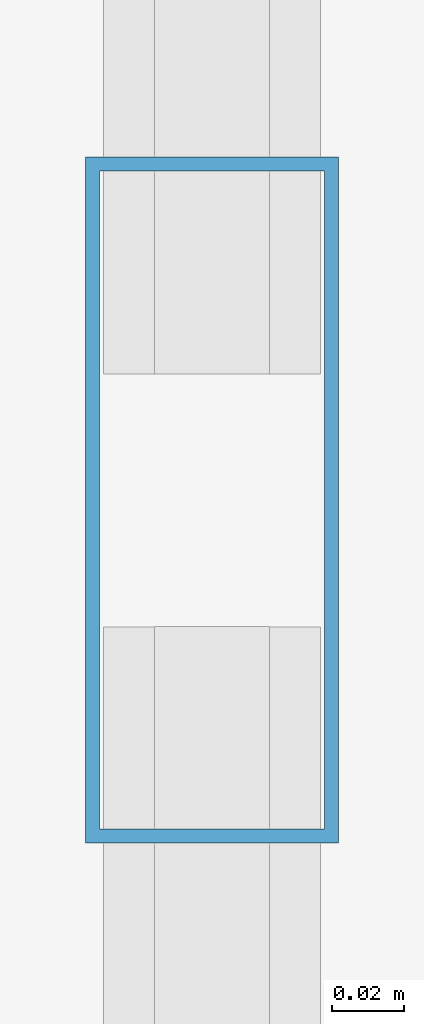
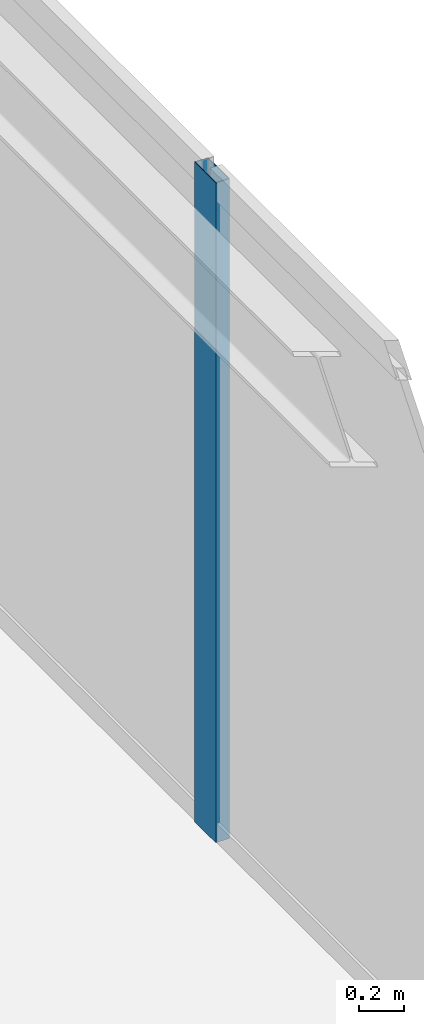
# One storey, part 18 of 32: 1 member, 1 element without a shape of its own.
"""IFC4 building model written with IfcOpenShell, lengths in metres."""

from ifc_helpers import new_model, si_unit, direction, frame, origin, origin_2d, place, context, subcontext, project, spatial, hollow_rectangle, extrude, source, transform, mapped, material, layer, layer_set, material_profile, profile_set, type_object, type_shapes, element, aggregate, save


model = new_model("IFC4")

# Units and contexts
model_context = context("Model", 3, precision=1e-05, world=origin(), true_north=direction((0.0, 1.0)))
body_context = subcontext(model_context, "Body", "Model", "MODEL_VIEW")
ifc_project = project(units=[si_unit("LENGTHUNIT", "METRE"), si_unit("AREAUNIT", "SQUARE_METRE"), si_unit("VOLUMEUNIT", "CUBIC_METRE"), si_unit("PLANEANGLEUNIT", "RADIAN"), si_unit("MASSUNIT", "GRAM", prefix="KILO")], contexts=[model_context])

# Site, building, storey
site_placement = place(None, origin())
site = spatial("IfcSite", under=ifc_project, at=site_placement, CompositionType="ELEMENT")
building_placement = place(site_placement, origin())
building = spatial("IfcBuilding", under=site, at=building_placement, Name="Varnel Quay Broadcast Tower", CompositionType="ELEMENT")
storey_placement = place(building_placement, frame((0.0, 0.0, 90.800048828125)))
storey = spatial("IfcBuildingStorey", under=building, at=storey_placement, Name="L21", CompositionType="ELEMENT", Elevation=90.800048828125)

# Curtain wall, member
ifc_material = material(Name="Anodised Bronze Aluminium 6063-T6", Category="aluminium")
ifc_layer = layer(ifc_material, 0.18994140625, Name="Anodised Bronze Aluminium 6063-T6")
ifc_layer_set = layer_set([ifc_layer], Name="Anodised Bronze Aluminium 6063-T6")
curtain_wall_type = type_object("IfcCurtainWallType", Name="CW_LowerTower", PredefinedType="NOTDEFINED", material=ifc_layer_set)
curtain_wall_placement = place(storey_placement, origin())
curtain_wall = element("IfcCurtainWall", 1, at=curtain_wall_placement, inside=storey, type_object=curtain_wall_type, Name="L21 East Unitised Curtain Wall", PredefinedType="NOTDEFINED")
ifc_material_profile = material_profile(ifc_material, hollow_rectangle(XDim=0.070068359375, YDim=0.18994140625, WallThickness=0.00390625, at=origin_2d()), Name="ALU70X190X4")
ifc_profile_set = profile_set([ifc_material_profile], Name="Anodised Bronze Aluminium 6063-T6")
member_type = type_object("IfcMemberType", Name="Mull_CWS-02", PredefinedType="MULLION", material=ifc_profile_set)
shared_shape = source(origin(), body_context, "Body", "SweptSolid", [
    extrude(hollow_rectangle(XDim=0.070068359375, YDim=0.18994140625, WallThickness=0.00390625, at=origin_2d()), origin(), (0.0, 0.0, 1.0), 3.550048828125),
])
type_shapes(member_type, [shared_shape])
member_placement = place(storey_placement, frame((63.35009765625, 19.60009765625, 0.0), z_axis=(0.0, 0.0, 1.0), x_axis=(-1.0, 0.0, 0.0)))
member = element("IfcMember", 2, at=member_placement, type_object=member_type, Name="CWS-02 mullion 2", PredefinedType="MULLION", context=body_context, shape_type="MappedRepresentation", body=[
    mapped(shared_shape, transform((0.0, 0.0, 0.0), x_axis=(1.0, 0.0, 0.0), y_axis=(0.0, 1.0, 0.0), z_axis=(0.0, 0.0, 1.0), scale=1.0)),
])
aggregate(curtain_wall, [member])

save(model, "model.ifc")
